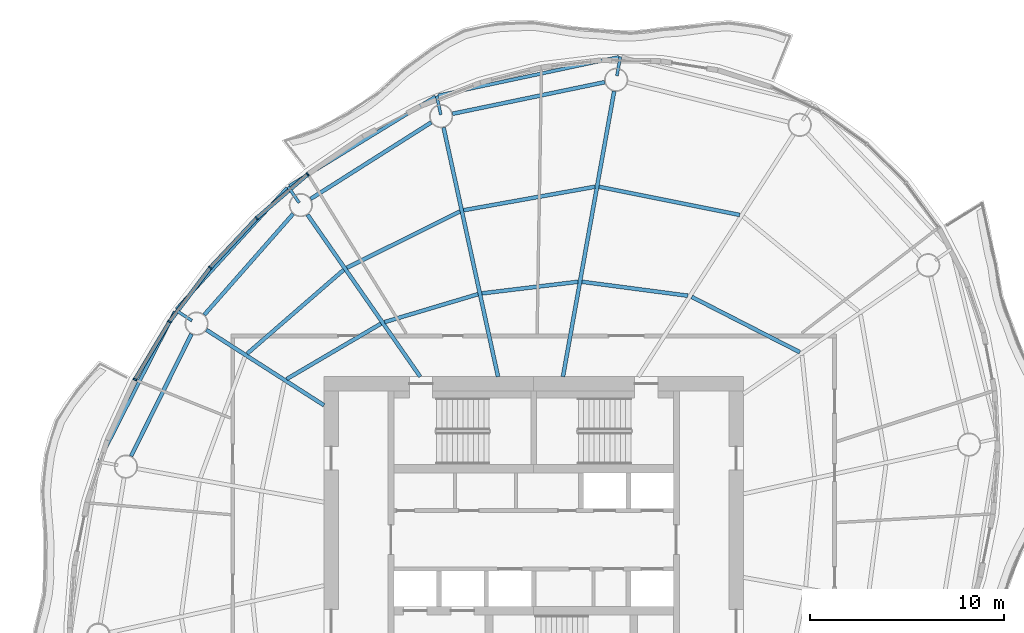
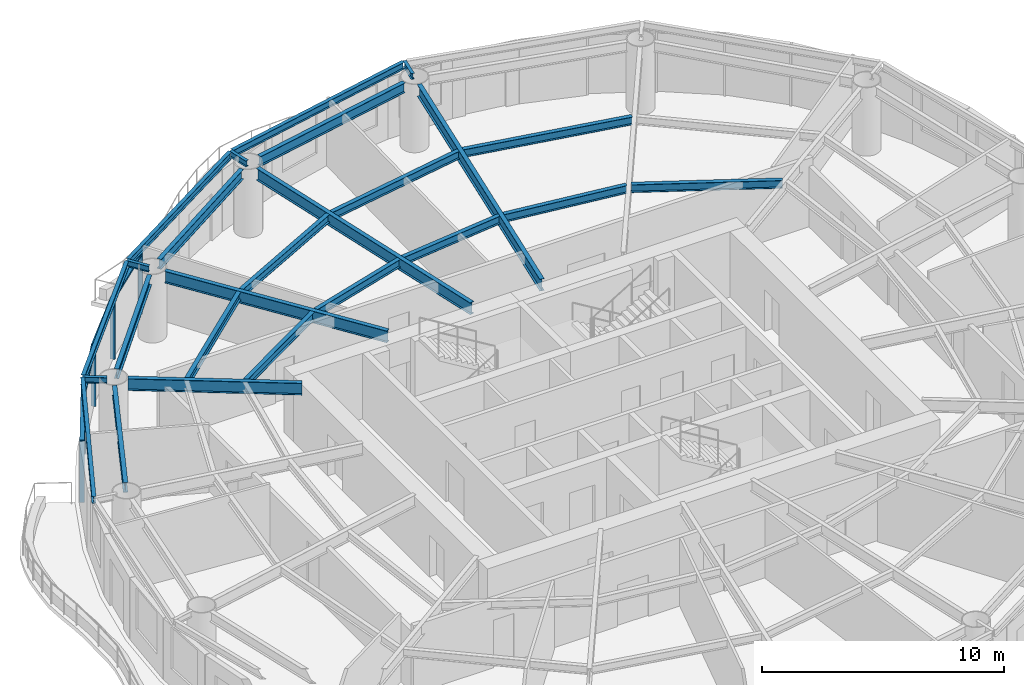
# One storey, part 5 of 14: 25 beams, 9 members, 4 elements without a shape of their own.
"""IFC4 building model written with IfcOpenShell, lengths in metres."""

from ifc_helpers import new_model, si_unit, direction, frame, origin, origin_2d, place, context, subcontext, project, spatial, rectangle, i_section, extrude, material, material_profile, profile_set, type_object, element, aggregate, save


model = new_model("IFC4")

# Units and contexts
model_context = context("Model", 3, precision=1e-05, world=origin(), true_north=direction((0.0, 1.0)))
body_context = subcontext(model_context, "Body", "Model", "MODEL_VIEW")
ifc_project = project(units=[si_unit("LENGTHUNIT", "METRE"), si_unit("AREAUNIT", "SQUARE_METRE"), si_unit("VOLUMEUNIT", "CUBIC_METRE"), si_unit("PLANEANGLEUNIT", "RADIAN"), si_unit("MASSUNIT", "GRAM", prefix="KILO")], contexts=[model_context])

# Site, building, storey
site_placement = place(None, origin())
site = spatial("IfcSite", under=ifc_project, at=site_placement, CompositionType="ELEMENT")
building_placement = place(site_placement, origin())
building = spatial("IfcBuilding", under=site, at=building_placement, Name="Vermilion Reach Broadcast Tower", CompositionType="ELEMENT")
storey_placement = place(building_placement, frame((0.0, 0.0, 231.699951171875)))
storey = spatial("IfcBuildingStorey", under=building, at=storey_placement, Name="L57", CompositionType="ELEMENT", Elevation=231.699951171875)

# Beams
ifc_material_1 = material(Name="Steel S355J2", Category="steel")
ifc_material_profile_1 = material_profile(ifc_material_1, i_section(OverallWidth=0.175048828125, OverallDepth=0.35009765625, WebThickness=0.007080078125, FlangeThickness=0.010986328125, at=origin_2d()), Name="S355J2 HN 350x175x7x11")
ifc_profile_set_1 = profile_set([ifc_material_profile_1], Name="Steel S355J2")
beam_type_1 = type_object("IfcBeamType", Name="EB4 HN 350x175x7x11", PredefinedType="BEAM", material=ifc_profile_set_1)
beam_1_placement = place(storey_placement, frame((-1.6162109375, 24.86181640625, 3.275146484375), z_axis=(-0.978096150859, -0.208153596351, 0.0), x_axis=(0.208153596351, -0.978096150859, 0.0)))
element("IfcBeam", 1, at=beam_1_placement, inside=storey, type_object=beam_type_1, Name="Edge beam EB4-02", PredefinedType="BEAM", context=body_context, shape_type="SweptSolid", body=[
    extrude(i_section(OverallWidth=0.175048828125, OverallDepth=0.35009765625, WebThickness=0.007080078125, FlangeThickness=0.010986328125, at=origin_2d()), origin(), (0.0, 0.0, 1.0), 9.516845703125),
])
beam_2_placement = place(storey_placement, frame((-11.065673828125, 22.82373046875, 3.275146484375), z_axis=(-0.852875711594, -0.522113991934, 0.0), x_axis=(0.522113991934, -0.852875711594, 0.0)))
element("IfcBeam", 2, at=beam_2_placement, inside=storey, type_object=beam_type_1, Name="Edge beam EB4-03", PredefinedType="BEAM", context=body_context, shape_type="SweptSolid", body=[
    extrude(i_section(OverallWidth=0.175048828125, OverallDepth=0.35009765625, WebThickness=0.007080078125, FlangeThickness=0.010986328125, at=origin_2d()), origin(), (0.0, 0.0, 1.0), 8.817626953125),
])
beam_3_placement = place(storey_placement, frame((-18.701904296875, 18.123779296875, 3.275146484375), z_axis=(-0.673639169186, -0.739060396543, 0.0), x_axis=(0.739060396543, -0.673639169186, 0.0)))
element("IfcBeam", 3, at=beam_3_placement, inside=storey, type_object=beam_type_1, Name="Edge beam EB4-04", PredefinedType="BEAM", context=body_context, shape_type="SweptSolid", body=[
    extrude(i_section(OverallWidth=0.175048828125, OverallDepth=0.35009765625, WebThickness=0.007080078125, FlangeThickness=0.010986328125, at=origin_2d()), origin(), (0.0, 0.0, 1.0), 8.445068359375),
])
beam_4_placement = place(storey_placement, frame((-24.476318359375, 11.7587890625, 3.275146484375), z_axis=(-0.452688887946, -0.891668531872, 0.0), x_axis=(0.891668531872, -0.452688887946, 0.0)))
element("IfcBeam", 4, at=beam_4_placement, inside=storey, type_object=beam_type_1, Name="Edge beam EB4-05", PredefinedType="BEAM", context=body_context, shape_type="SweptSolid", body=[
    extrude(i_section(OverallWidth=0.175048828125, OverallDepth=0.35009765625, WebThickness=0.007080078125, FlangeThickness=0.010986328125, at=origin_2d()), origin(), (0.0, 0.0, 1.0), 8.6015625),
])
ifc_material_2 = material(Name="Steel S355J2", Category="steel")
ifc_material_profile_2 = material_profile(ifc_material_2, i_section(OverallWidth=0.199951171875, OverallDepth=0.60009765625, WebThickness=0.010986328125, FlangeThickness=0.01708984375, at=origin_2d()), Name="S355J2 HN 600x200x11x17")
ifc_profile_set_2 = profile_set([ifc_material_profile_2], Name="Steel S355J2")
beam_type_2 = type_object("IfcBeamType", Name="G4 HN 600x200x11x17", PredefinedType="BEAM", material=ifc_profile_set_2)
beam_5_placement = place(storey_placement, frame((-4.4931640625, 8.39990234375, 3.150146484375), z_axis=(0.176574729047, 0.984287237072, 0.0), x_axis=(-0.984287237072, 0.176574729047, 0.0)))
element("IfcBeam", 5, at=beam_5_placement, inside=storey, type_object=beam_type_2, Name="Girder G4-02", PredefinedType="BEAM", context=body_context, shape_type="SweptSolid", body=[
    extrude(i_section(OverallWidth=0.199951171875, OverallDepth=0.60009765625, WebThickness=0.010986328125, FlangeThickness=0.01708984375, at=origin_2d()), origin(), (0.0, 0.0, 1.0), 14.935302734375),
])
beam_6_placement = place(storey_placement, frame((-7.836181640625, 8.39990234375, 3.150146484375), z_axis=(-0.213538346548, 0.976934682849, 0.0), x_axis=(-0.976934682849, -0.213538346548, 0.0)))
element("IfcBeam", 6, at=beam_6_placement, inside=storey, type_object=beam_type_2, Name="Girder G4-03", PredefinedType="BEAM", context=body_context, shape_type="SweptSolid", body=[
    extrude(i_section(OverallWidth=0.199951171875, OverallDepth=0.60009765625, WebThickness=0.010986328125, FlangeThickness=0.01708984375, at=origin_2d()), origin(), (0.0, 0.0, 1.0), 13.135498046875),
])
beam_7_placement = place(storey_placement, frame((-11.8447265625, 8.39990234375, 3.150146484375), z_axis=(-0.571134149017, 0.8208567377, 0.0), x_axis=(-0.8208567377, -0.571134149017, 0.0)))
element("IfcBeam", 7, at=beam_7_placement, inside=storey, type_object=beam_type_2, Name="Girder G4-04", PredefinedType="BEAM", context=body_context, shape_type="SweptSolid", body=[
    extrude(i_section(OverallWidth=0.199951171875, OverallDepth=0.60009765625, WebThickness=0.010986328125, FlangeThickness=0.01708984375, at=origin_2d()), origin(), (0.0, 0.0, 1.0), 10.16552734375),
])
beam_8_placement = place(storey_placement, frame((-16.800048828125, 6.925537109375, 3.150146484375), z_axis=(-0.841798504642, 0.539791883584, 0.0), x_axis=(-0.539791883584, -0.841798504642, 0.0)))
element("IfcBeam", 8, at=beam_8_placement, inside=storey, type_object=beam_type_2, Name="Girder G4-05", PredefinedType="BEAM", context=body_context, shape_type="SweptSolid", body=[
    extrude(i_section(OverallWidth=0.199951171875, OverallDepth=0.60009765625, WebThickness=0.010986328125, FlangeThickness=0.01708984375, at=origin_2d()), origin(), (0.0, 0.0, 1.0), 7.1962890625),
])
ifc_material_3 = material(Name="Steel S355J2", Category="steel")
ifc_material_profile_3 = material_profile(ifc_material_3, i_section(OverallWidth=0.14990234375, OverallDepth=0.300048828125, WebThickness=0.006591796875, FlangeThickness=0.009033203125, at=origin_2d()), Name="S355J2 HN 300x150x6.5x9")
ifc_profile_set_3 = profile_set([ifc_material_profile_3], Name="Steel S355J2")
beam_type_3 = type_object("IfcBeamType", Name="GS4 HN 300x150x6.5x9", PredefinedType="BEAM", material=ifc_profile_set_3)
beam_9_placement = place(storey_placement, frame((-1.713623046875, 23.89453125, 3.300048828125), z_axis=(0.176542748677, 0.984292973606, 0.0), x_axis=(-0.984292973606, 0.176542748677, 0.0)))
element("IfcBeam", 9, at=beam_9_placement, inside=storey, type_object=beam_type_3, Name="Cantilever stub GS4-02", PredefinedType="BEAM", context=body_context, shape_type="SweptSolid", body=[
    extrude(i_section(OverallWidth=0.14990234375, OverallDepth=0.300048828125, WebThickness=0.006591796875, FlangeThickness=0.009033203125, at=origin_2d()), origin(), (0.0, 0.0, 1.0), 0.999755859375),
])
for number, where, z_axis, x_axis, name in (
    (10, (-10.784423828125, 21.888427734375, 3.300048828125), (-0.213645906146, 0.976911166272, 0.0), (-0.976911166272, -0.213645906146, 0.0), "Cantilever stub GS4-03"),
    (11, (-18.078857421875, 17.35986328125, 3.300048828125), (-0.571264751294, 0.820765852073, 0.0), (-0.820765852073, -0.571264751294, 0.0), "Cantilever stub GS4-04"),
    (12, (-23.600341796875, 11.2861328125, 3.300048828125), (-0.841796649213, 0.539794777091, 0.0), (-0.539794777091, -0.841796649213, 0.0), "Cantilever stub GS4-05"),
):
    element("IfcBeam", number, at=place(storey_placement, frame(where, z_axis=z_axis, x_axis=x_axis)), inside=storey, type_object=beam_type_3, Name=name, PredefinedType="BEAM", context=body_context, shape_type="SweptSolid", body=[
        extrude(i_section(OverallWidth=0.14990234375, OverallDepth=0.300048828125, WebThickness=0.006591796875, FlangeThickness=0.009033203125, at=origin_2d()), origin(), (0.0, 0.0, 1.0), 1.0),
    ])
ifc_material_4 = material(Name="Steel S355J2", Category="steel")
ifc_material_profile_4 = material_profile(ifc_material_4, i_section(OverallWidth=0.199951171875, OverallDepth=0.5, WebThickness=0.010009765625, FlangeThickness=0.01611328125, at=origin_2d()), Name="S355J2 HN 500x200x10x16")
ifc_profile_set_4 = profile_set([ifc_material_profile_4], Name="Steel S355J2")
beam_type_4 = type_object("IfcBeamType", Name="RB4 HN 500x200x10x16", PredefinedType="BEAM", material=ifc_profile_set_4)
beam_10_placement = place(storey_placement, frame((-2.337646484375, 23.569091796875, 3.199951171875), z_axis=(-0.97912342484, -0.203266620302, 0.0), x_axis=(0.203266620302, -0.97912342484, 0.0)))
element("IfcBeam", 13, at=beam_10_placement, inside=storey, type_object=beam_type_4, Name="Ring beam RB4-02", PredefinedType="BEAM", context=body_context, shape_type="SweptSolid", body=[
    extrude(i_section(OverallWidth=0.199951171875, OverallDepth=0.5, WebThickness=0.010009765625, FlangeThickness=0.01611328125, at=origin_2d()), origin(), (0.0, 0.0, 1.0), 8.01123046875),
])
beam_11_placement = place(storey_placement, frame((-11.27587890625, 21.497314453125, 3.199951171875), z_axis=(-0.84446426774, -0.535611893549, 0.0), x_axis=(0.535611893549, -0.84446426774, 0.0)))
element("IfcBeam", 14, at=beam_11_placement, inside=storey, type_object=beam_type_4, Name="Ring beam RB4-03", PredefinedType="BEAM", context=body_context, shape_type="SweptSolid", body=[
    extrude(i_section(OverallWidth=0.199951171875, OverallDepth=0.5, WebThickness=0.010009765625, FlangeThickness=0.01611328125, at=origin_2d()), origin(), (0.0, 0.0, 1.0), 7.3544921875),
])
beam_12_placement = place(storey_placement, frame((-18.3896484375, 16.786376953125, 3.199951171875), z_axis=(-0.660565141761, -0.750768735024, 0.0), x_axis=(0.750768735024, -0.660565141761, 0.0)))
element("IfcBeam", 15, at=beam_12_placement, inside=storey, type_object=beam_type_4, Name="Ring beam RB4-04", PredefinedType="BEAM", context=body_context, shape_type="SweptSolid", body=[
    extrude(i_section(OverallWidth=0.199951171875, OverallDepth=0.5, WebThickness=0.010009765625, FlangeThickness=0.01611328125, at=origin_2d()), origin(), (0.0, 0.0, 1.0), 6.9287109375),
])
beam_13_placement = place(storey_placement, frame((-23.628662109375, 10.595947265625, 3.199951171875), z_axis=(-0.442977497199, -0.896532730566, 0.0), x_axis=(0.896532730566, -0.442977497199, 0.0)))
element("IfcBeam", 16, at=beam_13_placement, inside=storey, type_object=beam_type_4, Name="Ring beam RB4-05", PredefinedType="BEAM", context=body_context, shape_type="SweptSolid", body=[
    extrude(i_section(OverallWidth=0.199951171875, OverallDepth=0.5, WebThickness=0.010009765625, FlangeThickness=0.01611328125, at=origin_2d()), origin(), (0.0, 0.0, 1.0), 7.0166015625),
])
ifc_material_5 = material(Name="Steel S355J2", Category="steel")
ifc_material_profile_5 = material_profile(ifc_material_5, i_section(OverallWidth=0.199951171875, OverallDepth=0.39990234375, WebThickness=0.008056640625, FlangeThickness=0.012939453125, at=origin_2d()), Name="S355J2 HN 400x200x8x13")
ifc_profile_set_5 = profile_set([ifc_material_profile_5], Name="Steel S355J2")
beam_type_5 = type_object("IfcBeamType", Name="SB4 HN 400x200x8x13", PredefinedType="BEAM", material=ifc_profile_set_5)
beam_14_placement = place(storey_placement, frame((1.94140625, 12.5693359375, 3.25), z_axis=(-0.991458070019, 0.130425823341, 0.0), x_axis=(-0.130425823341, -0.991458070019, 0.0)))
element("IfcBeam", 17, at=beam_14_placement, inside=storey, type_object=beam_type_5, Name="Secondary beam SB4-01-1", PredefinedType="BEAM", context=body_context, shape_type="SweptSolid", body=[
    extrude(i_section(OverallWidth=0.199951171875, OverallDepth=0.39990234375, WebThickness=0.008056640625, FlangeThickness=0.012939453125, at=origin_2d()), origin(), (0.0, 0.0, 1.0), 5.50341796875),
])
beam_15_placement = place(storey_placement, frame((4.60986328125, 16.73095703125, 3.25), z_axis=(-0.9805717807, 0.196160604851, 0.0), x_axis=(-0.196160604851, -0.9805717807, 0.0)))
element("IfcBeam", 18, at=beam_15_placement, inside=storey, type_object=beam_type_5, Name="Secondary beam SB4-01-2", PredefinedType="BEAM", context=body_context, shape_type="SweptSolid", body=[
    extrude(i_section(OverallWidth=0.199951171875, OverallDepth=0.39990234375, WebThickness=0.008056640625, FlangeThickness=0.012939453125, at=origin_2d()), origin(), (0.0, 0.0, 1.0), 7.390380859375),
])
beam_16_placement = place(storey_placement, frame((-3.718017578125, 13.28759765625, 3.25), z_axis=(-0.99278788328, -0.119884189168, 0.0), x_axis=(0.119884189168, -0.99278788328, 0.0)))
element("IfcBeam", 19, at=beam_16_placement, inside=storey, type_object=beam_type_5, Name="Secondary beam SB4-02-1", PredefinedType="BEAM", context=body_context, shape_type="SweptSolid", body=[
    extrude(i_section(OverallWidth=0.199951171875, OverallDepth=0.39990234375, WebThickness=0.008056640625, FlangeThickness=0.012939453125, at=origin_2d()), origin(), (0.0, 0.0, 1.0), 4.9892578125),
])
beam_17_placement = place(storey_placement, frame((-2.840087890625, 18.181640625, 3.25), z_axis=(-0.984415281892, -0.175859468829, 0.0), x_axis=(0.175859468829, -0.984415281892, 0.0)))
element("IfcBeam", 20, at=beam_17_placement, inside=storey, type_object=beam_type_5, Name="Secondary beam SB4-02-2", PredefinedType="BEAM", context=body_context, shape_type="SweptSolid", body=[
    extrude(i_section(OverallWidth=0.199951171875, OverallDepth=0.39990234375, WebThickness=0.008056640625, FlangeThickness=0.012939453125, at=origin_2d()), origin(), (0.0, 0.0, 1.0), 6.874755859375),
])
beam_18_placement = place(storey_placement, frame((-8.8671875, 12.64892578125, 3.25), z_axis=(-0.958173460215, -0.28618808525, 0.0), x_axis=(0.28618808525, -0.958173460215, 0.0)))
element("IfcBeam", 21, at=beam_18_placement, inside=storey, type_object=beam_type_5, Name="Secondary beam SB4-03-1", PredefinedType="BEAM", context=body_context, shape_type="SweptSolid", body=[
    extrude(i_section(OverallWidth=0.199951171875, OverallDepth=0.39990234375, WebThickness=0.008056640625, FlangeThickness=0.012939453125, at=origin_2d()), origin(), (0.0, 0.0, 1.0), 5.02197265625),
])
beam_19_placement = place(storey_placement, frame((-9.79833984375, 16.908935546875, 3.25), z_axis=(-0.895183615542, -0.445697536974, 0.0), x_axis=(0.445697536974, -0.895183615542, 0.0)))
element("IfcBeam", 22, at=beam_19_placement, inside=storey, type_object=beam_type_5, Name="Secondary beam SB4-03-2", PredefinedType="BEAM", context=body_context, shape_type="SweptSolid", body=[
    extrude(i_section(OverallWidth=0.199951171875, OverallDepth=0.39990234375, WebThickness=0.008056640625, FlangeThickness=0.012939453125, at=origin_2d()), origin(), (0.0, 0.0, 1.0), 6.508544921875),
])
beam_20_placement = place(storey_placement, frame((-13.866455078125, 11.130615234375, 3.25), z_axis=(-0.862172572268, -0.506614701356, 0.0), x_axis=(0.506614701356, -0.862172572268, 0.0)))
element("IfcBeam", 23, at=beam_20_placement, inside=storey, type_object=beam_type_5, Name="Secondary beam SB4-04-1", PredefinedType="BEAM", context=body_context, shape_type="SweptSolid", body=[
    extrude(i_section(OverallWidth=0.199951171875, OverallDepth=0.39990234375, WebThickness=0.008056640625, FlangeThickness=0.012939453125, at=origin_2d()), origin(), (0.0, 0.0, 1.0), 5.632568359375),
])
beam_21_placement = place(storey_placement, frame((-15.791259765625, 13.89697265625, 3.25), z_axis=(-0.755129308567, -0.655575874589, 0.0), x_axis=(0.655575874589, -0.755129308567, 0.0)))
element("IfcBeam", 24, at=beam_21_placement, inside=storey, type_object=beam_type_5, Name="Secondary beam SB4-04-2", PredefinedType="BEAM", context=body_context, shape_type="SweptSolid", body=[
    extrude(i_section(OverallWidth=0.199951171875, OverallDepth=0.39990234375, WebThickness=0.008056640625, FlangeThickness=0.012939453125, at=origin_2d()), origin(), (0.0, 0.0, 1.0), 6.57958984375),
])
beam_22_placement = place(storey_placement, frame((7.707763671875, 9.659423828125, 3.25), z_axis=(-0.89015575218, 0.455656380249, 0.0), x_axis=(-0.455656380249, -0.89015575218, 0.0)))
element("IfcBeam", 25, at=beam_22_placement, inside=storey, type_object=beam_type_5, Name="Secondary beam SB4-16-1", PredefinedType="BEAM", context=body_context, shape_type="SweptSolid", body=[
    extrude(i_section(OverallWidth=0.199951171875, OverallDepth=0.39990234375, WebThickness=0.008056640625, FlangeThickness=0.012939453125, at=origin_2d()), origin(), (0.0, 0.0, 1.0), 6.25439453125),
])

# Curtain wall, member
ifc_material_6 = material(Name="Low-e laminated clear glass in aluminium frame", Category="aluminium")
curtain_wall_type = type_object("IfcCurtainWallType", Name="Slot curtain wall", PredefinedType="NOTDEFINED", material=ifc_material_6)
placement = place(storey_placement, origin())
curtain_wall_1 = element("IfcCurtainWall", 26, at=placement, inside=storey, type_object=curtain_wall_type, Name="Slot curtain wall L57 10", PredefinedType="NOTDEFINED")
ifc_material_7 = material(Name="Anodised aluminium", Category="aluminium")
ifc_material_profile_6 = material_profile(ifc_material_7, rectangle(XDim=0.199951171875, YDim=0.080078125, at=origin_2d()), Name="Slot mullion 80 x 200")
ifc_profile_set_6 = profile_set([ifc_material_profile_6], Name="Anodised aluminium")
member_type_1 = type_object("IfcMemberType", Name="Slot mullion 80 x 200", PredefinedType="MULLION", material=ifc_profile_set_6)
member_1_placement = place(storey_placement, frame((-17.640380859375, 18.8212890625, 0.0), z_axis=(0.0, 0.0, 1.0), x_axis=(0.609024657962, -0.793151288213, 0.0)))
member_1 = element("IfcMember", 27, at=member_1_placement, type_object=member_type_1, Name="Slot mullion L57 10", PredefinedType="MULLION", context=body_context, shape_type="SweptSolid", body=[
    extrude(rectangle(XDim=0.199951171875, YDim=0.080078125, at=origin_2d()), origin(), (0.0, 0.0, 1.0), 3.10009765625),
])

curtain_wall_2 = element("IfcCurtainWall", 28, at=placement, inside=storey, type_object=curtain_wall_type, Name="Slot curtain wall L57 11", PredefinedType="NOTDEFINED")
member_2_placement = place(storey_placement, frame((-20.271240234375, 16.561279296875, 0.0), z_axis=(0.0, 0.0, 1.0), x_axis=(0.691564371376, -0.722314834572, 0.0)))
member_2 = element("IfcMember", 29, at=member_2_placement, type_object=member_type_1, Name="Slot mullion L57 11", PredefinedType="MULLION", context=body_context, shape_type="SweptSolid", body=[
    extrude(rectangle(XDim=0.199951171875, YDim=0.080078125, at=origin_2d()), origin(), (0.0, 0.0, 1.0), 3.10009765625),
])

curtain_wall_3 = element("IfcCurtainWall", 30, at=placement, inside=storey, type_object=curtain_wall_type, Name="Slot curtain wall L57 12", PredefinedType="NOTDEFINED")
member_3_placement = place(storey_placement, frame((-22.656982421875, 14.0166015625, 0.0), z_axis=(0.0, 0.0, 1.0), x_axis=(0.765146174737, -0.643856607705, 0.0)))
member_3 = element("IfcMember", 31, at=member_3_placement, type_object=member_type_1, Name="Slot mullion L57 12", PredefinedType="MULLION", context=body_context, shape_type="SweptSolid", body=[
    extrude(rectangle(XDim=0.199951171875, YDim=0.080078125, at=origin_2d()), origin(), (0.0, 0.0, 1.0), 3.10009765625),
])

# Curtain wall, members
curtain_wall_4 = element("IfcCurtainWall", 32, at=placement, inside=storey, type_object=curtain_wall_type, Name="Slot curtain wall L57 13", PredefinedType="NOTDEFINED")
member_4_placement = place(storey_placement, frame((-24.756591796875, 11.23095703125, 0.0), z_axis=(0.0, 0.0, 1.0), x_axis=(0.829875233328, -0.557949009417, 0.0)))
member_4 = element("IfcMember", 33, at=member_4_placement, type_object=member_type_1, Name="Slot mullion L57 13", PredefinedType="MULLION", context=body_context, shape_type="SweptSolid", body=[
    extrude(rectangle(XDim=0.199951171875, YDim=0.080078125, at=origin_2d()), origin(), (0.0, 0.0, 1.0), 3.10009765625),
])
member_5_placement = place(storey_placement, frame((-26.53369140625, 8.25244140625, 0.0), z_axis=(0.0, 0.0, 1.0), x_axis=(0.885563839979, -0.464517691075, 0.0)))
member_5 = element("IfcMember", 34, at=member_5_placement, type_object=member_type_1, Name="Slot mullion L57 14", PredefinedType="MULLION", context=body_context, shape_type="SweptSolid", body=[
    extrude(rectangle(XDim=0.199951171875, YDim=0.080078125, at=origin_2d()), origin(), (0.0, 0.0, 1.0), 3.10009765625),
])

# Member
ifc_material_8 = material(Name="Anodised aluminium", Category="aluminium")
ifc_material_profile_7 = material_profile(ifc_material_8, rectangle(XDim=0.199951171875, YDim=0.10009765625, at=origin_2d()), Name="Slot transom 200 x 100")
ifc_profile_set_7 = profile_set([ifc_material_profile_7], Name="Anodised aluminium")
member_type_2 = type_object("IfcMemberType", Name="Slot transom 200 x 100", PredefinedType="USERDEFINED", material=ifc_profile_set_7)
member_6_placement = place(storey_placement, frame((-17.670654296875, 18.795166015625, 3.050048828125), z_axis=(-0.758549143227, -0.65161583568, 0.0), x_axis=(0.65161583568, -0.758549143227, 0.0)))
member_6 = element("IfcMember", 35, at=member_6_placement, type_object=member_type_2, Name="Slot transom L57 10.1", ObjectType="TRANSOM", PredefinedType="USERDEFINED", context=body_context, shape_type="SweptSolid", body=[
    extrude(rectangle(XDim=0.199951171875, YDim=0.10009765625, at=origin_2d()), origin(), (0.0, 0.0, 1.0), 3.38818359375),
])

aggregate(curtain_wall_1, [member_1, member_6])

member_7_placement = place(storey_placement, frame((-20.298583984375, 16.5322265625, 3.050048828125), z_axis=(-0.683924449754, -0.729552840464, 0.0), x_axis=(0.729552840464, -0.683924449754, 0.0)))
member_7 = element("IfcMember", 36, at=member_7_placement, type_object=member_type_2, Name="Slot transom L57 11.1", ObjectType="TRANSOM", PredefinedType="USERDEFINED", context=body_context, shape_type="SweptSolid", body=[
    extrude(rectangle(XDim=0.199951171875, YDim=0.10009765625, at=origin_2d()), origin(), (0.0, 0.0, 1.0), 3.408447265625),
])

aggregate(curtain_wall_2, [member_2, member_7])

member_8_placement = place(storey_placement, frame((-22.68115234375, 13.984619140625, 3.050048828125), z_axis=(-0.6018780486, -0.798588013067, 0.0), x_axis=(0.798588013067, -0.6018780486, 0.0)))
member_8 = element("IfcMember", 37, at=member_8_placement, type_object=member_type_2, Name="Slot transom L57 12.1", ObjectType="TRANSOM", PredefinedType="USERDEFINED", context=body_context, shape_type="SweptSolid", body=[
    extrude(rectangle(XDim=0.199951171875, YDim=0.10009765625, at=origin_2d()), origin(), (0.0, 0.0, 1.0), 3.408203125),
])

aggregate(curtain_wall_3, [member_3, member_8])

member_9_placement = place(storey_placement, frame((-24.777099609375, 11.196533203125, 3.050048828125), z_axis=(-0.51238552145, -0.858755539958, 0.0), x_axis=(0.858755539958, -0.51238552145, 0.0)))
member_9 = element("IfcMember", 38, at=member_9_placement, type_object=member_type_2, Name="Slot transom L57 13.1", ObjectType="TRANSOM", PredefinedType="USERDEFINED", context=body_context, shape_type="SweptSolid", body=[
    extrude(rectangle(XDim=0.199951171875, YDim=0.10009765625, at=origin_2d()), origin(), (0.0, 0.0, 1.0), 3.38818359375),
])

aggregate(curtain_wall_4, [member_4, member_5, member_9])

save(model, "model.ifc")
